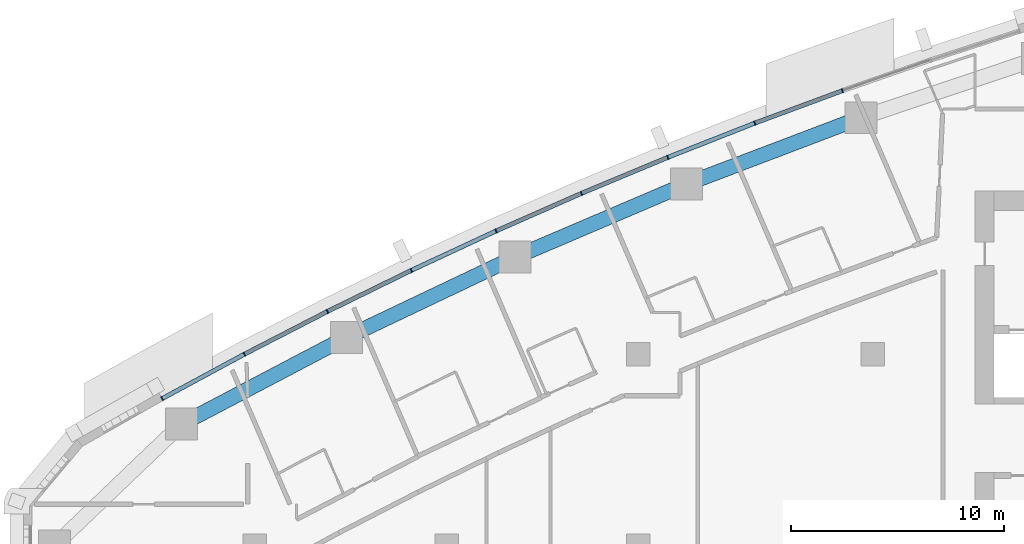
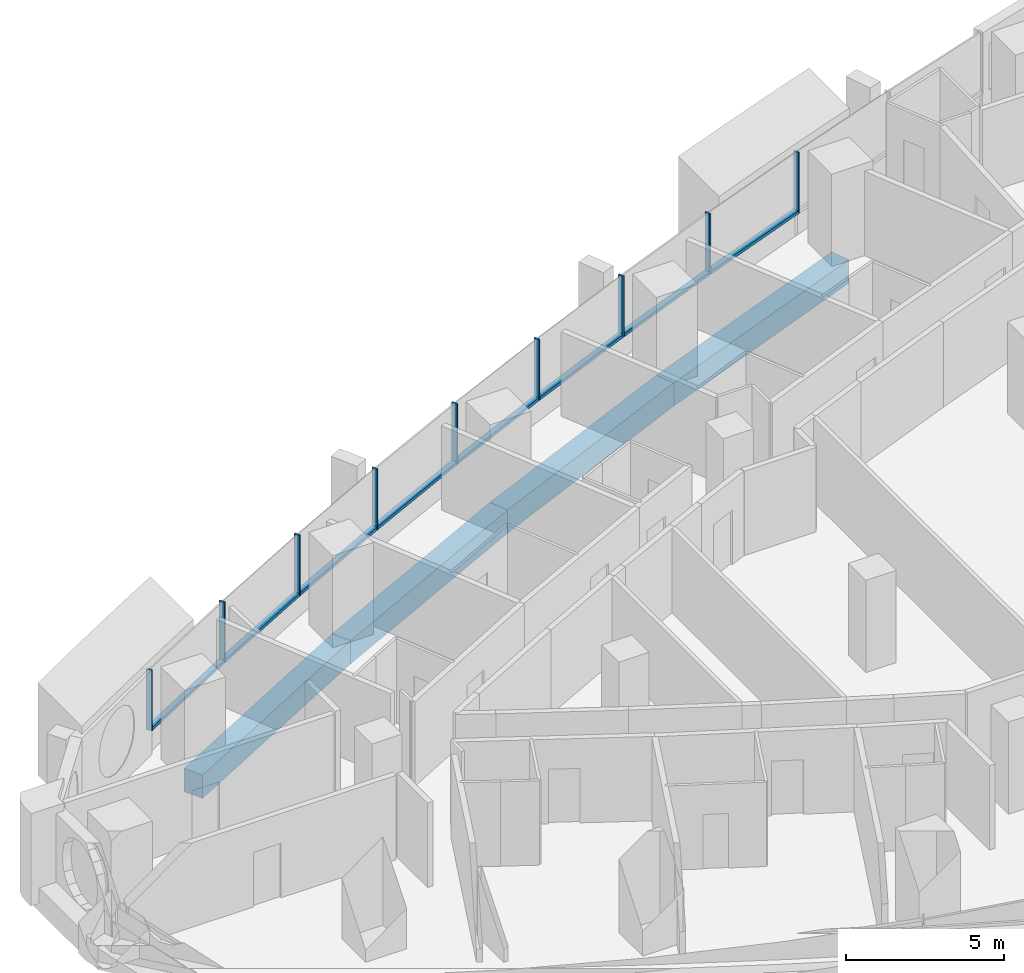
# One storey, part 5 of 17: 17 members, 4 beams, 5 elements without a shape of their own.
"""IFC4 building model written with IfcOpenShell, lengths in metres."""

from ifc_helpers import new_model, si_unit, direction, frame, origin, origin_2d, place, context, subcontext, project, spatial, rectangle, extrude, material, layer, layer_set, material_profile, profile_set, type_object, element, aggregate, save


model = new_model("IFC4")

# Units and contexts
model_context = context("Model", 3, precision=1e-05, world=origin(), true_north=direction((0.0, 1.0)))
body_context = subcontext(model_context, "Body", "Model", "MODEL_VIEW")
ifc_project = project(units=[si_unit("LENGTHUNIT", "METRE"), si_unit("AREAUNIT", "SQUARE_METRE"), si_unit("VOLUMEUNIT", "CUBIC_METRE"), si_unit("PLANEANGLEUNIT", "RADIAN"), si_unit("MASSUNIT", "GRAM", prefix="KILO")], contexts=[model_context])

# Site, building, storey
site_placement = place(None, origin())
site = spatial("IfcSite", under=ifc_project, at=site_placement, CompositionType="ELEMENT")
building_placement = place(site_placement, origin())
building = spatial("IfcBuilding", under=site, at=building_placement, Name="Ostrand Prow Hotel Tower", CompositionType="ELEMENT")
storey_placement = place(building_placement, frame((0.0, 0.0, 151.5)))
storey = spatial("IfcBuildingStorey", under=building, at=storey_placement, Name="L37", CompositionType="ELEMENT", Elevation=151.5)

# Beams
ifc_material_1 = material(Name="Concrete C70/85", Category="concrete")
ifc_material_profile_1 = material_profile(ifc_material_1, rectangle(XDim=0.699951171875, YDim=0.89990234375, at=origin_2d()), Name="RC 700x900")
ifc_profile_set_1 = profile_set([ifc_material_profile_1], Name="Concrete C70/85")
beam_type = type_object("IfcBeamType", Name="Edge beam 700x900 C70/85", PredefinedType="SPANDREL", material=ifc_profile_set_1)
for number, where, z_axis, x_axis, name in (
    (1, (44.438232421875, 20.093017578125, -0.75), (-0.93479358236, -0.355191439055, 0.0), (0.355191439055, -0.93479358236, 0.0), "Edge beam N2-N3"),
    (2, (36.255615234375, 16.98388671875, -0.75), (-0.919700966994, -0.392619575811, 0.0), (0.392619575811, -0.919700966994, 0.0), "Edge beam N3-N4"),
    (3, (28.205078125, 13.547119140625, -0.75), (-0.903083113352, -0.429465819803, 0.0), (0.429465819803, -0.903083113352, 0.0), "Edge beam N4-N5"),
    (4, (20.300048828125, 9.787841796875, -0.75), (-0.885016215308, -0.465560198731, 0.0), (0.465560198731, -0.885016215308, 0.0), "Edge beam N5-N6"),
):
    element("IfcBeam", number, at=place(storey_placement, frame(where, z_axis=z_axis, x_axis=x_axis)), inside=storey, type_object=beam_type, Name=name, PredefinedType="SPANDREL", context=body_context, shape_type="SweptSolid", body=[
        extrude(rectangle(XDim=0.699951171875, YDim=0.89990234375, at=origin_2d()), origin(), (0.0, 0.0, 1.0), 8.75341796875),
    ])

# Curtain wall, member
ifc_material_2 = material(Name="Insulated glass in bronze anodised frame", Category="glass")
ifc_layer = layer(ifc_material_2, 0.199951171875)
ifc_layer_set = layer_set([ifc_layer], Name="Insulated glass in bronze anodised frame")
curtain_wall_type = type_object("IfcCurtainWallType", Name="Strip curtain wall, fritted glass over bronze spandrel", PredefinedType="NOTDEFINED", material=ifc_layer_set)
curtain_wall_1_placement = place(storey_placement, origin())
curtain_wall_1 = element("IfcCurtainWall", 5, at=curtain_wall_1_placement, inside=storey, type_object=curtain_wall_type, Name="CW1 run CWN1", PredefinedType="NOTDEFINED")
ifc_material_3 = material(Name="Bronze anodised aluminium", Category="aluminium")
ifc_material_profile_2 = material_profile(ifc_material_3, rectangle(XDim=0.199951171875, YDim=0.06005859375, at=origin_2d()), Name="Mullion 60x200 bronze anodised aluminium")
ifc_profile_set_2 = profile_set([ifc_material_profile_2], Name="Bronze anodised aluminium")
member_type_1 = type_object("IfcMemberType", Name="Mullion 60x200 bronze anodised aluminium", PredefinedType="MULLION", material=ifc_profile_set_2)
member_1_placement = place(storey_placement, frame((43.5751953125, 21.3642578125, 0.89990234375), z_axis=(0.0, 0.0, 1.0), x_axis=(0.328428177424, -0.944528947293, 0.0)))
member_1 = element("IfcMember", 6, at=member_1_placement, type_object=member_type_1, Name="CW1 mullion 3", PredefinedType="MULLION", context=body_context, shape_type="SweptSolid", body=[
    extrude(rectangle(XDim=0.199951171875, YDim=0.06005859375, at=origin_2d()), origin(), (0.0, 0.0, 1.0), 2.35009765625),
])
aggregate(curtain_wall_1, [member_1])

# Curtain wall, members
curtain_wall_2_placement = place(storey_placement, origin())
curtain_wall_2 = element("IfcCurtainWall", 7, at=curtain_wall_2_placement, inside=storey, type_object=curtain_wall_type, Name="CW1 run CWN2", PredefinedType="NOTDEFINED")
member_2_placement = place(storey_placement, frame((39.462158203125, 19.8408203125, 0.89990234375), z_axis=(0.0, 0.0, 1.0), x_axis=(0.366116334636, -0.930569089059, 0.0)))
member_2 = element("IfcMember", 8, at=member_2_placement, type_object=member_type_1, Name="CW1 mullion 2", PredefinedType="MULLION", context=body_context, shape_type="SweptSolid", body=[
    extrude(rectangle(XDim=0.199951171875, YDim=0.06005859375, at=origin_2d()), origin(), (0.0, 0.0, 1.0), 2.35009765625),
])
member_3_placement = place(storey_placement, frame((35.380615234375, 18.235107421875, 0.89990234375), z_axis=(0.0, 0.0, 1.0), x_axis=(0.366116334636, -0.930569089059, 0.0)))
member_3 = element("IfcMember", 9, at=member_3_placement, type_object=member_type_1, Name="CW1 mullion 3", PredefinedType="MULLION", context=body_context, shape_type="SweptSolid", body=[
    extrude(rectangle(XDim=0.199951171875, YDim=0.06005859375, at=origin_2d()), origin(), (0.0, 0.0, 1.0), 2.35009765625),
])

curtain_wall_3_placement = place(storey_placement, origin())
curtain_wall_3 = element("IfcCurtainWall", 10, at=curtain_wall_3_placement, inside=storey, type_object=curtain_wall_type, Name="CW1 run CWN3", PredefinedType="NOTDEFINED")
member_4_placement = place(storey_placement, frame((31.332275390625, 16.54736328125, 0.89990234375), z_axis=(0.0, 0.0, 1.0), x_axis=(0.403213113347, -0.915106105993, 0.0)))
member_4 = element("IfcMember", 11, at=member_4_placement, type_object=member_type_1, Name="CW1 mullion 2", PredefinedType="MULLION", context=body_context, shape_type="SweptSolid", body=[
    extrude(rectangle(XDim=0.199951171875, YDim=0.06005859375, at=origin_2d()), origin(), (0.0, 0.0, 1.0), 2.35009765625),
])
member_5_placement = place(storey_placement, frame((27.318359375, 14.77880859375, 0.89990234375), z_axis=(0.0, 0.0, 1.0), x_axis=(0.403213113347, -0.915106105993, 0.0)))
member_5 = element("IfcMember", 12, at=member_5_placement, type_object=member_type_1, Name="CW1 mullion 3", PredefinedType="MULLION", context=body_context, shape_type="SweptSolid", body=[
    extrude(rectangle(XDim=0.199951171875, YDim=0.06005859375, at=origin_2d()), origin(), (0.0, 0.0, 1.0), 2.35009765625),
])

curtain_wall_4_placement = place(storey_placement, origin())
curtain_wall_4 = element("IfcCurtainWall", 13, at=curtain_wall_4_placement, inside=storey, type_object=curtain_wall_type, Name="CW1 run CWN4", PredefinedType="NOTDEFINED")
member_6_placement = place(storey_placement, frame((23.341064453125, 12.93017578125, 0.89990234375), z_axis=(0.0, 0.0, 1.0), x_axis=(0.439658592061, -0.898164975061, 0.0)))
member_6 = element("IfcMember", 14, at=member_6_placement, type_object=member_type_1, Name="CW1 mullion 2", PredefinedType="MULLION", context=body_context, shape_type="SweptSolid", body=[
    extrude(rectangle(XDim=0.199951171875, YDim=0.06005859375, at=origin_2d()), origin(), (0.0, 0.0, 1.0), 2.35009765625),
])
member_7_placement = place(storey_placement, frame((19.401611328125, 11.001708984375, 0.89990234375), z_axis=(0.0, 0.0, 1.0), x_axis=(0.439658592061, -0.898164975061, 0.0)))
member_7 = element("IfcMember", 15, at=member_7_placement, type_object=member_type_1, Name="CW1 mullion 3", PredefinedType="MULLION", context=body_context, shape_type="SweptSolid", body=[
    extrude(rectangle(XDim=0.199951171875, YDim=0.06005859375, at=origin_2d()), origin(), (0.0, 0.0, 1.0), 2.35009765625),
])

curtain_wall_5_placement = place(storey_placement, origin())
curtain_wall_5 = element("IfcCurtainWall", 16, at=curtain_wall_5_placement, inside=storey, type_object=curtain_wall_type, Name="CW1 run CWN5", PredefinedType="NOTDEFINED")
member_8_placement = place(storey_placement, frame((15.501708984375, 8.99462890625, 0.89990234375), z_axis=(0.0, 0.0, 1.0), x_axis=(0.475393901316, -0.879773060847, 0.0)))
member_8 = element("IfcMember", 17, at=member_8_placement, type_object=member_type_1, Name="CW1 mullion 2", PredefinedType="MULLION", context=body_context, shape_type="SweptSolid", body=[
    extrude(rectangle(XDim=0.199951171875, YDim=0.06005859375, at=origin_2d()), origin(), (0.0, 0.0, 1.0), 2.35009765625),
])
member_9_placement = place(storey_placement, frame((11.64306640625, 6.909423828125, 0.89990234375), z_axis=(0.0, 0.0, 1.0), x_axis=(0.475393901316, -0.879773060847, 0.0)))
member_9 = element("IfcMember", 18, at=member_9_placement, type_object=member_type_1, Name="CW1 mullion 3", PredefinedType="MULLION", context=body_context, shape_type="SweptSolid", body=[
    extrude(rectangle(XDim=0.199951171875, YDim=0.06005859375, at=origin_2d()), origin(), (0.0, 0.0, 1.0), 2.35009765625),
])

# Member
ifc_material_4 = material(Name="Bronze anodised aluminium", Category="aluminium")
ifc_material_profile_3 = material_profile(ifc_material_4, rectangle(XDim=0.199951171875, YDim=0.1201171875, at=origin_2d()), Name="Transom 120x200 bronze anodised aluminium")
ifc_profile_set_3 = profile_set([ifc_material_profile_3], Name="Bronze anodised aluminium")
member_type_2 = type_object("IfcMemberType", Name="Transom 120x200 bronze anodised aluminium", PredefinedType="USERDEFINED", material=ifc_profile_set_3)
member_10_placement = place(storey_placement, frame((43.547119140625, 21.353759765625, 0.9599609375), z_axis=(-0.937756929379, -0.347292299657, 0.0), x_axis=(0.347292299657, -0.937756929379, 0.0)))
member_10 = element("IfcMember", 19, at=member_10_placement, type_object=member_type_2, Name="CW1 transom 1.1", ObjectType="TRANSOM", PredefinedType="USERDEFINED", context=body_context, shape_type="SweptSolid", body=[
    extrude(rectangle(XDim=0.199951171875, YDim=0.1201171875, at=origin_2d()), origin(), (0.0, 0.0, 1.0), 4.326171875),
])

member_11_placement = place(storey_placement, frame((39.434326171875, 19.829833984375, 0.9599609375), z_axis=(-0.930563430162, -0.366130717701, 0.0), x_axis=(0.366130717701, -0.930563430162, 0.0)))
member_11 = element("IfcMember", 20, at=member_11_placement, type_object=member_type_2, Name="CW1 transom 2.1", ObjectType="TRANSOM", PredefinedType="USERDEFINED", context=body_context, shape_type="SweptSolid", body=[
    extrude(rectangle(XDim=0.199951171875, YDim=0.1201171875, at=origin_2d()), origin(), (0.0, 0.0, 1.0), 4.326171875),
])

aggregate(curtain_wall_2, [member_2, member_3, member_10, member_11])

member_12_placement = place(storey_placement, frame((35.352783203125, 18.223388671875, 0.9599609375), z_axis=(-0.923028493412, -0.384731595206, 0.0), x_axis=(0.384731595206, -0.923028493412, 0.0)))
member_12 = element("IfcMember", 21, at=member_12_placement, type_object=member_type_2, Name="CW1 transom 1.1", ObjectType="TRANSOM", PredefinedType="USERDEFINED", context=body_context, shape_type="SweptSolid", body=[
    extrude(rectangle(XDim=0.199951171875, YDim=0.1201171875, at=origin_2d()), origin(), (0.0, 0.0, 1.0), 4.325927734375),
])

member_13_placement = place(storey_placement, frame((31.3046875, 16.535400390625, 0.9599609375), z_axis=(-0.91509853977, -0.403230284715, 0.0), x_axis=(0.403230284715, -0.91509853977, 0.0)))
member_13 = element("IfcMember", 22, at=member_13_placement, type_object=member_type_2, Name="CW1 transom 2.1", ObjectType="TRANSOM", PredefinedType="USERDEFINED", context=body_context, shape_type="SweptSolid", body=[
    extrude(rectangle(XDim=0.199951171875, YDim=0.1201171875, at=origin_2d()), origin(), (0.0, 0.0, 1.0), 4.325927734375),
])

aggregate(curtain_wall_3, [member_4, member_5, member_12, member_13])

member_14_placement = place(storey_placement, frame((27.291259765625, 14.766357421875, 0.9599609375), z_axis=(-0.906796377468, -0.421568890944, 0.0), x_axis=(0.421568890944, -0.906796377468, 0.0)))
member_14 = element("IfcMember", 23, at=member_14_placement, type_object=member_type_2, Name="CW1 transom 1.1", ObjectType="TRANSOM", PredefinedType="USERDEFINED", context=body_context, shape_type="SweptSolid", body=[
    extrude(rectangle(XDim=0.199951171875, YDim=0.1201171875, at=origin_2d()), origin(), (0.0, 0.0, 1.0), 4.326171875),
])

member_15_placement = place(storey_placement, frame((23.314208984375, 12.9169921875, 0.9599609375), z_axis=(-0.89815413626, -0.439680733623, 0.0), x_axis=(0.439680733623, -0.89815413626, 0.0)))
member_15 = element("IfcMember", 24, at=member_15_placement, type_object=member_type_2, Name="CW1 transom 2.1", ObjectType="TRANSOM", PredefinedType="USERDEFINED", context=body_context, shape_type="SweptSolid", body=[
    extrude(rectangle(XDim=0.199951171875, YDim=0.1201171875, at=origin_2d()), origin(), (0.0, 0.0, 1.0), 4.326171875),
])

aggregate(curtain_wall_4, [member_6, member_7, member_14, member_15])

member_16_placement = place(storey_placement, frame((19.375, 10.988037109375, 0.9599609375), z_axis=(-0.88914020052, -0.457634902318, 0.0), x_axis=(0.457634902318, -0.88914020052, 0.0)))
member_16 = element("IfcMember", 25, at=member_16_placement, type_object=member_type_2, Name="CW1 transom 1.1", ObjectType="TRANSOM", PredefinedType="USERDEFINED", context=body_context, shape_type="SweptSolid", body=[
    extrude(rectangle(XDim=0.199951171875, YDim=0.1201171875, at=origin_2d()), origin(), (0.0, 0.0, 1.0), 4.325927734375),
])

member_17_placement = place(storey_placement, frame((15.475341796875, 8.980224609375, 0.9599609375), z_axis=(-0.879765206929, -0.475408435639, 0.0), x_axis=(0.475408435639, -0.879765206929, 0.0)))
member_17 = element("IfcMember", 26, at=member_17_placement, type_object=member_type_2, Name="CW1 transom 2.1", ObjectType="TRANSOM", PredefinedType="USERDEFINED", context=body_context, shape_type="SweptSolid", body=[
    extrude(rectangle(XDim=0.199951171875, YDim=0.1201171875, at=origin_2d()), origin(), (0.0, 0.0, 1.0), 4.326171875),
])

aggregate(curtain_wall_5, [member_8, member_9, member_16, member_17])

save(model, "model.ifc")
